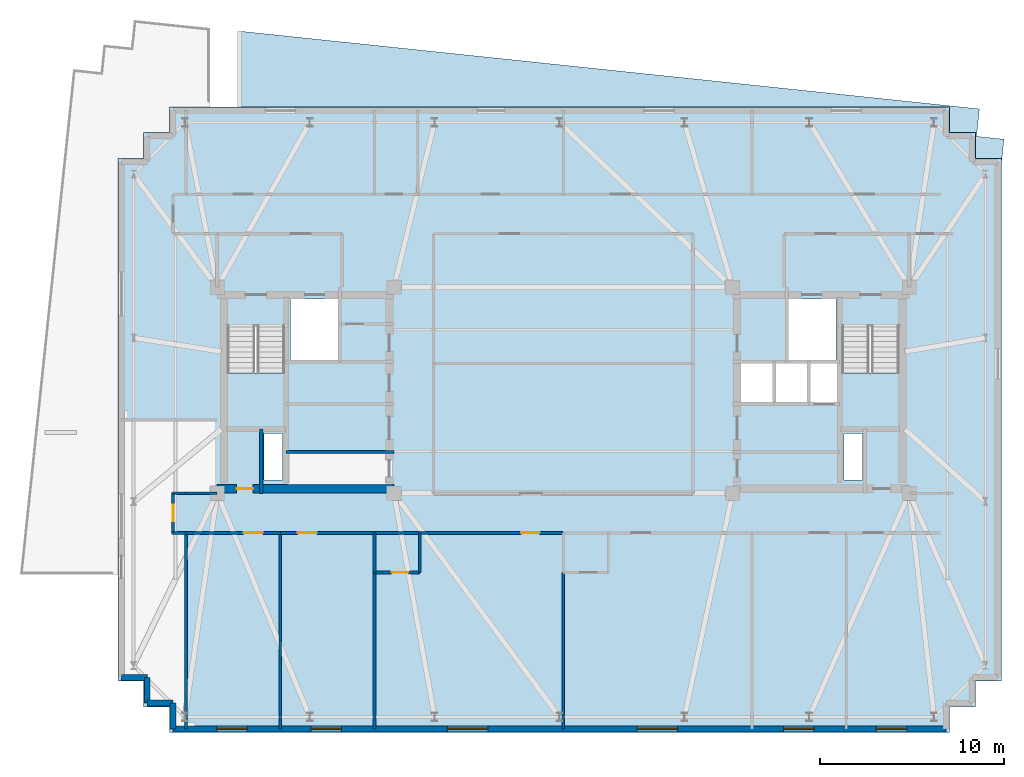
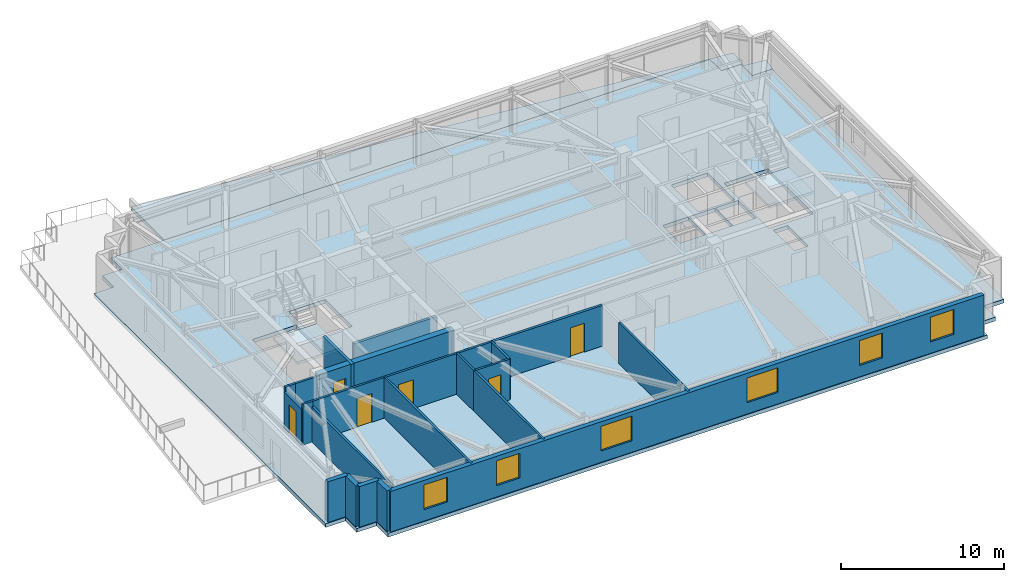
# One storey, part 5 of 12: 23 walls, 6 doors, 6 windows, 4 slabs, 12 openings, 2 elements without a shape of their own.
"""IFC4 building model written with IfcOpenShell, lengths in metres."""

from ifc_helpers import new_model, si_unit, direction, frame, frame_2d, origin, place, context, subcontext, project, spatial, polyline, rectangle, outline, extrude, material, layer, layer_set, type_object, element, fill, aggregate, save


model = new_model("IFC4")

# Units and contexts
model_context = context("Model", 3, precision=1e-05, world=origin(), true_north=direction((0.0, 1.0)))
body_context = subcontext(model_context, "Body", "Model", "MODEL_VIEW")
ifc_project = project(units=[si_unit("LENGTHUNIT", "METRE"), si_unit("AREAUNIT", "SQUARE_METRE"), si_unit("VOLUMEUNIT", "CUBIC_METRE"), si_unit("PLANEANGLEUNIT", "RADIAN"), si_unit("MASSUNIT", "GRAM", prefix="KILO")], contexts=[model_context])

# Site, building, storey
site_placement = place(None, origin())
site = spatial("IfcSite", under=ifc_project, at=site_placement, CompositionType="ELEMENT")
building_placement = place(site_placement, origin())
building = spatial("IfcBuilding", under=site, at=building_placement, Name="Qobustan Lattice House", CompositionType="ELEMENT")
storey_placement = place(building_placement, frame((0.0, 0.0, 228.300048828125)))
storey = spatial("IfcBuildingStorey", under=building, at=storey_placement, Name="L64", CompositionType="ELEMENT", Elevation=228.300048828125)

# Slab
ifc_material_1 = material(Name="Concrete C45/55", Category="concrete")
ifc_layer_1 = layer(ifc_material_1, 0.280029296875)
ifc_layer_set_1 = layer_set([ifc_layer_1], Name="Concrete C45/55")
slab_type_1 = type_object("IfcSlabType", Name="SLB-FLR-280", PredefinedType="FLOOR", material=ifc_layer_set_1)
slab_1_placement = place(storey_placement, frame((0.0, 0.0, -0.280029296875)))
element("IfcSlab", 1, at=slab_1_placement, inside=storey, type_object=slab_type_1, Name="L64 structural floor slab", PredefinedType="FLOOR", context=body_context, shape_type="SweptSolid", body=[
    extrude(outline(polyline([(-21.39990234375, -18.60009765625), (21.0, -18.60009765625), (21.0, -17.199951171875), (22.39990234375, -17.199951171875), (22.39990234375, -15.800048828125), (23.800048828125, -15.800048828125), (23.800048828125, 12.60009765625), (22.39990234375, 12.60009765625), (22.39990234375, 14.0), (21.0, 14.0), (21.0, 15.39990234375), (-21.39990234375, 15.39990234375), (-21.39990234375, 14.0), (-22.800048828125, 14.0), (-22.800048828125, 12.60009765625), (-24.199951171875, 12.60009765625), (-24.199951171875, -15.800048828125), (-22.800048828125, -15.800048828125), (-22.800048828125, -17.199951171875), (-21.39990234375, -17.199951171875), (-21.39990234375, -18.60009765625)]), holes=[polyline([(-18.25, -2.050048828125), (-18.25, 3.489990234375), (-15.1298828125, 3.489990234375), (-15.1298828125, -2.050048828125), (-18.25, -2.050048828125)]), polyline([(15.1298828125, -2.050048828125), (15.1298828125, 3.489990234375), (18.25, 3.489990234375), (18.25, -2.050048828125), (15.1298828125, -2.050048828125)]), polyline([(-14.820068359375, 1.64990234375), (-14.820068359375, 4.9599609375), (-12.25, 4.9599609375), (-12.25, 1.64990234375), (-14.820068359375, 1.64990234375)]), polyline([(12.25, 1.64990234375), (12.25, 4.9599609375), (14.820068359375, 4.9599609375), (14.820068359375, 1.64990234375), (12.25, 1.64990234375)]), polyline([(-16.260009765625, -4.8798828125), (-16.260009765625, -2.360107421875), (-15.260009765625, -2.360107421875), (-15.260009765625, -4.8798828125), (-16.260009765625, -4.8798828125)]), polyline([(15.260009765625, -4.8798828125), (15.260009765625, -2.360107421875), (16.260009765625, -2.360107421875), (16.260009765625, -4.8798828125), (15.260009765625, -4.8798828125)]), polyline([(13.360107421875, -0.679931640625), (13.360107421875, 1.47998046875), (14.97998046875, 1.47998046875), (14.97998046875, -0.679931640625), (13.360107421875, -0.679931640625)]), polyline([(9.6201171875, -0.679931640625), (9.6201171875, 1.47998046875), (11.43994140625, 1.47998046875), (11.43994140625, -0.679931640625), (9.6201171875, -0.679931640625)]), polyline([(11.5, -0.679931640625), (11.5, 1.47998046875), (13.320068359375, 1.47998046875), (13.320068359375, -0.679931640625), (11.5, -0.679931640625)])]), origin(), (0.0, 0.0, 1.0), 0.280029296875),
])

# Stair, slab
ifc_material_2 = material(Name="Concrete C40/50", Category="concrete")
stair_type = type_object("IfcStairType", Name="STR-CORE-DOGLEG", PredefinedType="HALF_TURN_STAIR", material=ifc_material_2)
stair_1_placement = place(storey_placement, origin())
stair_1 = element("IfcStair", 2, at=stair_1_placement, inside=storey, type_object=stair_type, Name="L64 West protected exit stair ST-W1", PredefinedType="HALF_TURN_STAIR")
ifc_material_3 = material(Name="Concrete C40/50", Category="concrete")
ifc_layer_2 = layer(ifc_material_3, 0.199951171875)
ifc_layer_set_2 = layer_set([ifc_layer_2], Name="Concrete C40/50")
slab_type_2 = type_object("IfcSlabType", Name="SLB-LANDING-200", PredefinedType="LANDING", material=ifc_layer_set_2)
slab_2_placement = place(storey_placement, frame((0.0, 0.0, 1.474853515625)))
slab_2 = element("IfcSlab", 3, at=slab_2_placement, type_object=slab_type_2, Name="ST-W1 landing 1", PredefinedType="LANDING", context=body_context, shape_type="SweptSolid", body=[
    extrude(outline(polyline([(-18.25, 0.93505859375), (-18.25, -2.050048828125), (-15.1298828125, -2.050048828125), (-15.1298828125, 0.93505859375), (-18.25, 0.93505859375)])), origin(), (0.0, 0.0, 1.0), 0.2001953125),
])
aggregate(stair_1, [slab_2])

stair_2_placement = place(storey_placement, origin())
stair_2 = element("IfcStair", 4, at=stair_2_placement, inside=storey, type_object=stair_type, Name="L64 East protected exit stair ST-E1", PredefinedType="HALF_TURN_STAIR")
slab_3_placement = place(storey_placement, frame((0.0, 0.0, 1.474853515625)))
slab_3 = element("IfcSlab", 5, at=slab_3_placement, type_object=slab_type_2, Name="ST-E1 landing 1", PredefinedType="LANDING", context=body_context, shape_type="SweptSolid", body=[
    extrude(outline(polyline([(15.1298828125, 0.93505859375), (15.1298828125, -2.050048828125), (18.25, -2.050048828125), (18.25, 0.93505859375), (15.1298828125, 0.93505859375)])), origin(), (0.0, 0.0, 1.0), 0.2001953125),
])
aggregate(stair_2, [slab_3])

# Slab
ifc_material_4 = material(Name="Concrete C40/50", Category="concrete")
ifc_layer_3 = layer(ifc_material_4, 0.239990234375)
ifc_layer_set_3 = layer_set([ifc_layer_3], Name="Concrete C40/50")
slab_type_3 = type_object("IfcSlabType", Name="SLB-ROOF-240", PredefinedType="ROOF", material=ifc_layer_set_3)
slab_4_placement = place(storey_placement, frame((0.0, 0.0, -0.239990234375)))
element("IfcSlab", 6, at=slab_4_placement, inside=storey, type_object=slab_type_3, Name="L64 setback maintenance roof slab 1", PredefinedType="ROOF", context=body_context, shape_type="SweptSolid", body=[
    extrude(outline(polyline([(-17.60009765625, 19.515625), (-17.60009765625, 15.39990234375), (21.0, 15.39990234375), (21.0, 14.0), (22.39990234375, 14.0), (22.39990234375, 12.60009765625), (23.800048828125, 12.60009765625), (23.800048828125, 12.23046875), (23.947998046875, 13.640380859375), (22.456298828125, 13.797119140625), (22.61328125, 15.2890625), (-17.60009765625, 19.515625)])), origin(), (0.0, 0.0, 1.0), 0.239990234375),
])

# Wall, opening, door
ifc_material_5 = material(Name="Concrete C50/60", Category="concrete")
ifc_layer_4 = layer(ifc_material_5, 0.43994140625)
ifc_layer_set_4 = layer_set([ifc_layer_4], Name="Concrete C50/60")
wall_type_1 = type_object("IfcWallType", Name="WAL-CORE-440", PredefinedType="SHEAR", material=ifc_layer_set_4)
wall_1_placement = place(storey_placement, frame((-18.800048828125, -5.35009765625, 0.0), z_axis=(0.0, 0.0, 1.0), x_axis=(1.0, 0.0, 0.0)))
wall_1 = element("IfcWall", 7, at=wall_1_placement, inside=storey, type_object=wall_type_1, Name="L64 split-core shear wall CW-S", PredefinedType="SHEAR", context=body_context, shape_type="SweptSolid", body=[
    extrude(rectangle(XDim=9.60009765625, YDim=0.43994140625, at=frame_2d((4.800048828125, 0.0))), origin(), (0.0, 0.0, 1.0), 3.0400390625),
])
opening_1_placement = place(wall_1_placement, frame((1.050048828125, 0.0, 0.0)))
opening_1 = element("IfcOpeningElement", 8, at=opening_1_placement, cuts=wall_1, Name="Opening RD-01", PredefinedType="OPENING", context=body_context, shape_type="SweptSolid", body=[
    extrude(rectangle(XDim=0.89990234375, YDim=2.10009765625, at=frame_2d((0.449951171875, 1.050048828125))), frame((0.0, 0.22998046875, 0.0), z_axis=(0.0, -1.0, 0.0), x_axis=(1.0, 0.0, 0.0)), (0.0, 0.0, 1.0), 0.4599609375),
])
ifc_material_6 = material(Name="Persian walnut timber and steel frame door", Category="steel")
door_type_1 = type_object("IfcDoorType", Name="DOR-RISER-FD-900x2100", OperationType="NOTDEFINED", PredefinedType="DOOR", material=ifc_material_6)
door_1_placement = place(opening_1_placement, origin())
door_1 = element("IfcDoor", 9, at=door_1_placement, inside=storey, type_object=door_type_1, Name="L64 core service riser access door W", OperationType="SINGLE_SWING_LEFT", OverallHeight=2.10009765625, OverallWidth=0.89990234375, PredefinedType="DOOR", context=body_context, shape_type="SweptSolid", body=[
    extrude(rectangle(XDim=0.89990234375, YDim=2.10009765625, at=frame_2d((0.449951171875, 1.050048828125))), frame((0.0, 0.02490234375, 0.0), z_axis=(0.0, -1.0, 0.0), x_axis=(1.0, 0.0, 0.0)), (0.0, 0.0, 1.0), 0.050048828125),
])
fill(opening_1, door_1)

# Walls
ifc_material_7 = material(Name="Precast concrete C40/50", Category="concrete")
ifc_layer_5 = layer(ifc_material_7, 0.320068359375)
ifc_layer_set_5 = layer_set([ifc_layer_5], Name="Precast concrete C40/50")
wall_type_2 = type_object("IfcWallType", Name="WAL-EXT-STONE-320", PredefinedType="SOLIDWALL", material=ifc_layer_set_5)
wall_2_placement = place(storey_placement, frame((-21.199951171875, -18.39990234375, 0.0), z_axis=(0.0, 0.0, 1.0), x_axis=(0.0, 1.0, 0.0)))
element("IfcWall", 10, at=wall_2_placement, inside=storey, type_object=wall_type_2, Name="L64 exterior limestone-clad wall 1", PredefinedType="SOLIDWALL", context=body_context, shape_type="SweptSolid", body=[
    extrude(rectangle(XDim=1.39990234375, YDim=0.320068359375, at=frame_2d((0.699951171875, 0.0))), origin(), (0.0, 0.0, 1.0), 3.0400390625),
])
wall_3_placement = place(storey_placement, frame((-21.199951171875, -17.0, 0.0), z_axis=(0.0, 0.0, 1.0), x_axis=(-1.0, 0.0, 0.0)))
element("IfcWall", 11, at=wall_3_placement, inside=storey, type_object=wall_type_2, Name="L64 exterior limestone-clad wall 2", PredefinedType="SOLIDWALL", context=body_context, shape_type="SweptSolid", body=[
    extrude(rectangle(XDim=1.400146484375, YDim=0.320068359375, at=frame_2d((0.7001953125, 0.0))), origin(), (0.0, 0.0, 1.0), 3.0400390625),
])
for number, where, z_axis, x_axis, name in (
    (12, (-22.60009765625, -17.0, 0.0), (0.0, 0.0, 1.0), (0.0, 1.0, 0.0), "L64 exterior limestone-clad wall 3"),
    (13, (-22.60009765625, -15.60009765625, 0.0), (0.0, 0.0, 1.0), (-1.0, 0.0, 0.0), "L64 exterior limestone-clad wall 4"),
):
    element("IfcWall", number, at=place(storey_placement, frame(where, z_axis=z_axis, x_axis=x_axis)), inside=storey, type_object=wall_type_2, Name=name, PredefinedType="SOLIDWALL", context=body_context, shape_type="SweptSolid", body=[
        extrude(rectangle(XDim=1.39990234375, YDim=0.320068359375, at=frame_2d((0.699951171875, 0.0))), origin(), (0.0, 0.0, 1.0), 3.0400390625),
    ])

# Wall, openings, windows
wall_4_placement = place(storey_placement, frame((20.800048828125, -18.39990234375, 0.0), z_axis=(0.0, 0.0, 1.0), x_axis=(-1.0, 0.0, 0.0)))
wall_4 = element("IfcWall", 14, at=wall_4_placement, inside=storey, type_object=wall_type_2, Name="L64 exterior limestone-clad wall 20", PredefinedType="SOLIDWALL", context=body_context, shape_type="SweptSolid", body=[
    extrude(rectangle(XDim=42.0, YDim=0.320068359375, at=frame_2d((21.0, 0.0))), origin(), (0.0, 0.0, 1.0), 3.0400390625),
])
opening_2_placement = place(wall_4_placement, frame((2.135009765625, 0.0, 0.85009765625)))
opening_2 = element("IfcOpeningElement", 15, at=opening_2_placement, cuts=wall_4, Name="Opening WN-09", PredefinedType="OPENING", context=body_context, shape_type="SweptSolid", body=[
    extrude(rectangle(XDim=1.64990234375, YDim=1.85009765625, at=frame_2d((0.824951171875, 0.925048828125))), frame((0.0, 0.169921875, 0.0), z_axis=(0.0, -1.0, 0.0), x_axis=(1.0, 0.0, 0.0)), (0.0, 0.0, 1.0), 0.340087890625),
])
opening_3_placement = place(wall_4_placement, frame((7.175048828125, 0.0, 0.85009765625)))
opening_3 = element("IfcOpeningElement", 16, at=opening_3_placement, cuts=wall_4, Name="Opening WN-09", PredefinedType="OPENING", context=body_context, shape_type="SweptSolid", body=[
    extrude(rectangle(XDim=1.64990234375, YDim=1.85009765625, at=frame_2d((0.824951171875, 0.925048828125))), frame((0.0, 0.169921875, 0.0), z_axis=(0.0, -1.0, 0.0), x_axis=(1.0, 0.0, 0.0)), (0.0, 0.0, 1.0), 0.340087890625),
])
opening_4_placement = place(wall_4_placement, frame((14.580078125, 0.0, 0.85009765625)))
opening_4 = element("IfcOpeningElement", 17, at=opening_4_placement, cuts=wall_4, Name="Opening WN-03", PredefinedType="OPENING", context=body_context, shape_type="SweptSolid", body=[
    extrude(rectangle(XDim=2.199951171875, YDim=1.85009765625, at=frame_2d((1.10009765625, 0.925048828125))), frame((0.0, 0.169921875, 0.0), z_axis=(0.0, -1.0, 0.0), x_axis=(1.0, 0.0, 0.0)), (0.0, 0.0, 1.0), 0.340087890625),
])
opening_5_placement = place(wall_4_placement, frame((24.89990234375, 0.0, 0.85009765625)))
opening_5 = element("IfcOpeningElement", 18, at=opening_5_placement, cuts=wall_4, Name="Opening WN-03", PredefinedType="OPENING", context=body_context, shape_type="SweptSolid", body=[
    extrude(rectangle(XDim=2.199951171875, YDim=1.85009765625, at=frame_2d((1.10009765625, 0.925048828125))), frame((0.0, 0.169921875, 0.0), z_axis=(0.0, -1.0, 0.0), x_axis=(1.0, 0.0, 0.0)), (0.0, 0.0, 1.0), 0.340087890625),
])
opening_6_placement = place(wall_4_placement, frame((32.85498046875, 0.0, 0.85009765625)))
opening_6 = element("IfcOpeningElement", 19, at=opening_6_placement, cuts=wall_4, Name="Opening WN-09", PredefinedType="OPENING", context=body_context, shape_type="SweptSolid", body=[
    extrude(rectangle(XDim=1.64990234375, YDim=1.85009765625, at=frame_2d((0.824951171875, 0.925048828125))), frame((0.0, 0.169921875, 0.0), z_axis=(0.0, -1.0, 0.0), x_axis=(1.0, 0.0, 0.0)), (0.0, 0.0, 1.0), 0.340087890625),
])
opening_7_placement = place(wall_4_placement, frame((37.97509765625, 0.0, 0.85009765625)))
opening_7 = element("IfcOpeningElement", 20, at=opening_7_placement, cuts=wall_4, Name="Opening WN-09", PredefinedType="OPENING", context=body_context, shape_type="SweptSolid", body=[
    extrude(rectangle(XDim=1.64990234375, YDim=1.85009765625, at=frame_2d((0.824951171875, 0.925048828125))), frame((0.0, 0.169921875, 0.0), z_axis=(0.0, -1.0, 0.0), x_axis=(1.0, 0.0, 0.0)), (0.0, 0.0, 1.0), 0.340087890625),
])
ifc_material_8 = material(Name="Double-glazed low-E aluminium window", Category="aluminium")
window_type_1 = type_object("IfcWindowType", Name="WIN-STU-1650x1850", PartitioningType="SINGLE_PANEL", PredefinedType="WINDOW", material=ifc_material_8)
window_1_placement = place(opening_2_placement, origin())
window_1 = element("IfcWindow", 21, at=window_1_placement, inside=storey, type_object=window_type_1, Name="L64 Academic seminar room window", OverallHeight=1.85009765625, OverallWidth=1.64990234375, PartitioningType="SINGLE_PANEL", PredefinedType="WINDOW", context=body_context, shape_type="SweptSolid", body=[
    extrude(rectangle(XDim=1.64990234375, YDim=1.85009765625, at=frame_2d((0.824951171875, 0.925048828125))), frame((0.0, 0.030029296875, 0.0), z_axis=(0.0, -1.0, 0.0), x_axis=(1.0, 0.0, 0.0)), (0.0, 0.0, 1.0), 0.06005859375),
])
fill(opening_2, window_1)
window_2_placement = place(opening_3_placement, origin())
window_2 = element("IfcWindow", 22, at=window_2_placement, inside=storey, type_object=window_type_1, Name="L64 Group study room window", OverallHeight=1.85009765625, OverallWidth=1.64990234375, PartitioningType="SINGLE_PANEL", PredefinedType="WINDOW", context=body_context, shape_type="SweptSolid", body=[
    extrude(rectangle(XDim=1.64990234375, YDim=1.85009765625, at=frame_2d((0.824951171875, 0.925048828125))), frame((0.0, 0.030029296875, 0.0), z_axis=(0.0, -1.0, 0.0), x_axis=(1.0, 0.0, 0.0)), (0.0, 0.0, 1.0), 0.06005859375),
])
fill(opening_3, window_2)
window_3_placement = place(opening_6_placement, origin())
window_3 = element("IfcWindow", 23, at=window_3_placement, inside=storey, type_object=window_type_1, Name="L64 Focus study room S1B window", OverallHeight=1.85009765625, OverallWidth=1.64990234375, PartitioningType="SINGLE_PANEL", PredefinedType="WINDOW", context=body_context, shape_type="SweptSolid", body=[
    extrude(rectangle(XDim=1.64990234375, YDim=1.85009765625, at=frame_2d((0.824951171875, 0.925048828125))), frame((0.0, 0.030029296875, 0.0), z_axis=(0.0, -1.0, 0.0), x_axis=(1.0, 0.0, 0.0)), (0.0, 0.0, 1.0), 0.06005859375),
])
fill(opening_6, window_3)
window_4_placement = place(opening_7_placement, origin())
window_4 = element("IfcWindow", 24, at=window_4_placement, inside=storey, type_object=window_type_1, Name="L64 Focus study room S1A window", OverallHeight=1.85009765625, OverallWidth=1.64990234375, PartitioningType="SINGLE_PANEL", PredefinedType="WINDOW", context=body_context, shape_type="SweptSolid", body=[
    extrude(rectangle(XDim=1.64990234375, YDim=1.85009765625, at=frame_2d((0.824951171875, 0.925048828125))), frame((0.0, 0.030029296875, 0.0), z_axis=(0.0, -1.0, 0.0), x_axis=(1.0, 0.0, 0.0)), (0.0, 0.0, 1.0), 0.06005859375),
])
fill(opening_7, window_4)
ifc_material_9 = material(Name="Double-glazed low-E aluminium window", Category="aluminium")
window_type_2 = type_object("IfcWindowType", Name="WIN-WIDE-2200x1850", PartitioningType="SINGLE_PANEL", PredefinedType="WINDOW", material=ifc_material_9)
window_5_placement = place(opening_4_placement, origin())
window_5 = element("IfcWindow", 25, at=window_5_placement, inside=storey, type_object=window_type_2, Name="L64 Kitchenette and studio apartment L64-S3 window", OverallHeight=1.85009765625, OverallWidth=2.199951171875, PartitioningType="SINGLE_PANEL", PredefinedType="WINDOW", context=body_context, shape_type="SweptSolid", body=[
    extrude(rectangle(XDim=2.199951171875, YDim=1.85009765625, at=frame_2d((1.10009765625, 0.925048828125))), frame((0.0, 0.030029296875, 0.0), z_axis=(0.0, -1.0, 0.0), x_axis=(1.0, 0.0, 0.0)), (0.0, 0.0, 1.0), 0.06005859375),
])
fill(opening_4, window_5)
window_6_placement = place(opening_5_placement, origin())
window_6 = element("IfcWindow", 26, at=window_6_placement, inside=storey, type_object=window_type_2, Name="L64 Kitchenette and studio apartment L64-S2 window", OverallHeight=1.85009765625, OverallWidth=2.199951171875, PartitioningType="SINGLE_PANEL", PredefinedType="WINDOW", context=body_context, shape_type="SweptSolid", body=[
    extrude(rectangle(XDim=2.199951171875, YDim=1.85009765625, at=frame_2d((1.10009765625, 0.925048828125))), frame((0.0, 0.030029296875, 0.0), z_axis=(0.0, -1.0, 0.0), x_axis=(1.0, 0.0, 0.0)), (0.0, 0.0, 1.0), 0.06005859375),
])
fill(opening_5, window_6)

# Wall
ifc_material_10 = material(Name="Gypsum fireboard acoustic partition", Category="gypsum")
ifc_layer_6 = layer(ifc_material_10, 0.179931640625)
ifc_layer_set_6 = layer_set([ifc_layer_6], Name="Gypsum fireboard acoustic partition")
wall_type_3 = type_object("IfcWallType", Name="WAL-FIRE-180", PredefinedType="PARTITIONING", material=ifc_layer_set_6)
wall_5_placement = place(storey_placement, frame((-15.050048828125, -3.35009765625, 0.0), z_axis=(0.0, 0.0, 1.0), x_axis=(1.0, 0.0, 0.0)))
element("IfcWall", 27, at=wall_5_placement, inside=storey, type_object=wall_type_3, Name="L64 interior partition 10", PredefinedType="PARTITIONING", context=body_context, shape_type="SweptSolid", body=[
    extrude(rectangle(XDim=5.85009765625, YDim=0.179931640625, at=frame_2d((2.925048828125, 0.0))), origin(), (0.0, 0.0, 1.0), 2.7548828125),
])

# Wall, opening, door
wall_6_placement = place(storey_placement, frame((0.0, -7.75, 0.0), z_axis=(0.0, 0.0, 1.0), x_axis=(-1.0, 0.0, 0.0)))
wall_6 = element("IfcWall", 28, at=wall_6_placement, inside=storey, type_object=wall_type_3, Name="L64 interior partition 48", PredefinedType="PARTITIONING", context=body_context, shape_type="SweptSolid", body=[
    extrude(rectangle(XDim=7.800048828125, YDim=0.179931640625, at=frame_2d((3.89990234375, 0.0))), origin(), (0.0, 0.0, 1.0), 3.0400390625),
])
opening_8_placement = place(wall_6_placement, frame((1.284912109375, 0.0, 0.0)))
opening_8 = element("IfcOpeningElement", 29, at=opening_8_placement, cuts=wall_6, Name="Opening FD-02", PredefinedType="OPENING", context=body_context, shape_type="SweptSolid", body=[
    extrude(rectangle(XDim=1.0, YDim=2.14990234375, at=frame_2d((0.5, 1.074951171875))), frame((0.0, 0.099853515625, 0.0), z_axis=(0.0, -1.0, 0.0), x_axis=(1.0, 0.0, 0.0)), (0.0, 0.0, 1.0), 0.199951171875),
])
ifc_material_11 = material(Name="Persian walnut timber and steel frame door", Category="steel")
door_type_2 = type_object("IfcDoorType", Name="DOR-UNIT-FD-1000x2150", OperationType="NOTDEFINED", PredefinedType="DOOR", material=ifc_material_11)
door_2_placement = place(opening_8_placement, origin())
door_2 = element("IfcDoor", 30, at=door_2_placement, inside=storey, type_object=door_type_2, Name="L64 South-west floor corridor to Kitchenette and studio apartment L64-S2 door", OperationType="SINGLE_SWING_RIGHT", OverallHeight=2.14990234375, OverallWidth=1.0, PredefinedType="DOOR", context=body_context, shape_type="SweptSolid", body=[
    extrude(rectangle(XDim=1.0, YDim=2.14990234375, at=frame_2d((0.5, 1.074951171875))), frame((0.0, 0.02490234375, 0.0), z_axis=(0.0, -1.0, 0.0), x_axis=(1.0, 0.0, 0.0)), (0.0, 0.0, 1.0), 0.050048828125),
])
fill(opening_8, door_2)

ifc_material_12 = material(Name="Acoustic twin-stud gypsum partition", Category="gypsum")
ifc_layer_7 = layer(ifc_material_12, 0.14990234375)
ifc_layer_set_7 = layer_set([ifc_layer_7], Name="Acoustic twin-stud gypsum partition")
wall_type_4 = type_object("IfcWallType", Name="WAL-PART-150", PredefinedType="PARTITIONING", material=ifc_layer_set_7)
wall_7_placement = place(storey_placement, frame((-21.199951171875, -7.75, 0.0), z_axis=(0.0, 0.0, 1.0), x_axis=(0.0, 1.0, 0.0)))
wall_7 = element("IfcWall", 31, at=wall_7_placement, inside=storey, type_object=wall_type_4, Name="L64 interior partition 42", PredefinedType="PARTITIONING", context=body_context, shape_type="SweptSolid", body=[
    extrude(rectangle(XDim=2.14990234375, YDim=0.14990234375, at=frame_2d((1.074951171875, 0.0))), origin(), (0.0, 0.0, 1.0), 2.695068359375),
])
opening_9_placement = place(wall_7_placement, frame((0.625, 0.0, 0.0)))
opening_9 = element("IfcOpeningElement", 32, at=opening_9_placement, cuts=wall_7, Name="Opening WD-01", PredefinedType="OPENING", context=body_context, shape_type="SweptSolid", body=[
    extrude(rectangle(XDim=0.89990234375, YDim=2.10009765625, at=frame_2d((0.449951171875, 1.050048828125))), frame((0.0, 0.0849609375, 0.0), z_axis=(0.0, -1.0, 0.0), x_axis=(1.0, 0.0, 0.0)), (0.0, 0.0, 1.0), 0.169921875),
])
ifc_material_13 = material(Name="Persian walnut timber and steel frame door", Category="steel")
door_type_3 = type_object("IfcDoorType", Name="DOR-WET-900x2100", OperationType="NOTDEFINED", PredefinedType="DOOR", material=ifc_material_13)
door_3_placement = place(opening_9_placement, origin())
door_3 = element("IfcDoor", 33, at=door_3_placement, inside=storey, type_object=door_type_3, Name="L64 South-west floor corridor to Spiral terrace south lounge door", OperationType="SINGLE_SWING_LEFT", OverallHeight=2.10009765625, OverallWidth=0.89990234375, PredefinedType="DOOR", context=body_context, shape_type="SweptSolid", body=[
    extrude(rectangle(XDim=0.89990234375, YDim=2.10009765625, at=frame_2d((0.449951171875, 1.050048828125))), frame((0.0, 0.02490234375, 0.0), z_axis=(0.0, -1.0, 0.0), x_axis=(1.0, 0.0, 0.0)), (0.0, 0.0, 1.0), 0.050048828125),
])
fill(opening_9, door_3)

# Walls
wall_8_placement = place(storey_placement, frame((-20.5, -5.60009765625, 0.0), z_axis=(0.0, 0.0, 1.0), x_axis=(1.0, 0.0, 0.0)))
element("IfcWall", 34, at=wall_8_placement, inside=storey, type_object=wall_type_4, Name="L64 interior partition 43", PredefinedType="PARTITIONING", context=body_context, shape_type="SweptSolid", body=[
    extrude(rectangle(XDim=1.699951171875, YDim=0.14990234375, at=frame_2d((0.85009765625, 0.0))), origin(), (0.0, 0.0, 1.0), 3.0400390625),
])
for number, where, z_axis, x_axis, name in (
    (35, (-20.5, -7.75, 0.0), (0.0, 0.0, 1.0), (-1.0, 0.0, 0.0), "L64 interior partition 44"),
    (36, (-21.199951171875, -5.60009765625, 0.0), (0.0, 0.0, 1.0), (1.0, 0.0, 0.0), "L64 interior partition 45"),
):
    element("IfcWall", number, at=place(storey_placement, frame(where, z_axis=z_axis, x_axis=x_axis)), inside=storey, type_object=wall_type_4, Name=name, PredefinedType="PARTITIONING", context=body_context, shape_type="SweptSolid", body=[
        extrude(rectangle(XDim=0.699951171875, YDim=0.14990234375, at=frame_2d((0.35009765625, 0.0))), origin(), (0.0, 0.0, 1.0), 3.0400390625),
    ])

# Wall, opening, door
wall_9_placement = place(storey_placement, frame((-15.375, -7.75, 0.0), z_axis=(0.0, 0.0, 1.0), x_axis=(-1.0, 0.0, 0.0)))
wall_9 = element("IfcWall", 37, at=wall_9_placement, inside=storey, type_object=wall_type_4, Name="L64 interior partition 46", PredefinedType="PARTITIONING", context=body_context, shape_type="SweptSolid", body=[
    extrude(rectangle(XDim=5.125, YDim=0.14990234375, at=frame_2d((2.5625, 0.0))), origin(), (0.0, 0.0, 1.0), 3.0400390625),
])
opening_10_placement = place(wall_9_placement, frame((0.9443359375, 0.0, 0.0)))
opening_10 = element("IfcOpeningElement", 38, at=opening_10_placement, cuts=wall_9, Name="Opening ID-02", PredefinedType="OPENING", context=body_context, shape_type="SweptSolid", body=[
    extrude(rectangle(XDim=1.050048828125, YDim=2.14990234375, at=frame_2d((0.52490234375, 1.074951171875))), frame((0.0, 0.0849609375, 0.0), z_axis=(0.0, -1.0, 0.0), x_axis=(1.0, 0.0, 0.0)), (0.0, 0.0, 1.0), 0.169921875),
])
ifc_material_14 = material(Name="Persian walnut timber and steel frame door", Category="steel")
door_type_4 = type_object("IfcDoorType", Name="DOR-STUDY-1050x2150", OperationType="NOTDEFINED", PredefinedType="DOOR", material=ifc_material_14)
door_4_placement = place(opening_10_placement, origin())
door_4 = element("IfcDoor", 39, at=door_4_placement, inside=storey, type_object=door_type_4, Name="L64 South-west floor corridor to Focus study room S1A door", OperationType="SINGLE_SWING_RIGHT", OverallHeight=2.14990234375, OverallWidth=1.050048828125, PredefinedType="DOOR", context=body_context, shape_type="SweptSolid", body=[
    extrude(rectangle(XDim=1.050048828125, YDim=2.14990234375, at=frame_2d((0.52490234375, 1.074951171875))), frame((0.0, 0.02490234375, 0.0), z_axis=(0.0, -1.0, 0.0), x_axis=(1.0, 0.0, 0.0)), (0.0, 0.0, 1.0), 0.050048828125),
])
fill(opening_10, door_4)

wall_10_placement = place(storey_placement, frame((-10.25, -7.75, 0.0), z_axis=(0.0, 0.0, 1.0), x_axis=(-1.0, 0.0, 0.0)))
wall_10 = element("IfcWall", 40, at=wall_10_placement, inside=storey, type_object=wall_type_4, Name="L64 interior partition 47", PredefinedType="PARTITIONING", context=body_context, shape_type="SweptSolid", body=[
    extrude(rectangle(XDim=5.125, YDim=0.14990234375, at=frame_2d((2.5625, 0.0))), origin(), (0.0, 0.0, 1.0), 3.0400390625),
])
opening_11_placement = place(wall_10_placement, frame((3.130615234375, 0.0, 0.0)))
opening_11 = element("IfcOpeningElement", 41, at=opening_11_placement, cuts=wall_10, Name="Opening ID-02", PredefinedType="OPENING", context=body_context, shape_type="SweptSolid", body=[
    extrude(rectangle(XDim=1.050048828125, YDim=2.14990234375, at=frame_2d((0.52490234375, 1.074951171875))), frame((0.0, 0.0849609375, 0.0), z_axis=(0.0, -1.0, 0.0), x_axis=(1.0, 0.0, 0.0)), (0.0, 0.0, 1.0), 0.169921875),
])
door_5_placement = place(opening_11_placement, origin())
door_5 = element("IfcDoor", 42, at=door_5_placement, inside=storey, type_object=door_type_4, Name="L64 South-west floor corridor to Focus study room S1B door", OperationType="SINGLE_SWING_LEFT", OverallHeight=2.14990234375, OverallWidth=1.050048828125, PredefinedType="DOOR", context=body_context, shape_type="SweptSolid", body=[
    extrude(rectangle(XDim=1.050048828125, YDim=2.14990234375, at=frame_2d((0.52490234375, 1.074951171875))), frame((0.0, 0.02490234375, 0.0), z_axis=(0.0, -1.0, 0.0), x_axis=(1.0, 0.0, 0.0)), (0.0, 0.0, 1.0), 0.050048828125),
])
fill(opening_11, door_5)

# Walls
wall_11_placement = place(storey_placement, frame((-20.5, -7.75, 0.0), z_axis=(0.0, 0.0, 1.0), x_axis=(0.0, -1.0, 0.0)))
element("IfcWall", 43, at=wall_11_placement, inside=storey, type_object=wall_type_4, Name="L64 interior partition 63", PredefinedType="PARTITIONING", context=body_context, shape_type="SweptSolid", body=[
    extrude(rectangle(XDim=10.64990234375, YDim=0.14990234375, at=frame_2d((5.324951171875, 0.0))), origin(), (0.0, 0.0, 1.0), 2.6650390625),
])
wall_12_placement = place(storey_placement, frame((-15.375, -7.75, 0.0), z_axis=(0.0, 0.0, 1.0), x_axis=(0.0, -1.0, 0.0)))
element("IfcWall", 44, at=wall_12_placement, inside=storey, type_object=wall_type_4, Name="L64 interior partition 69", PredefinedType="PARTITIONING", context=body_context, shape_type="SweptSolid", body=[
    extrude(rectangle(XDim=10.64990234375, YDim=0.14990234375, at=frame_2d((5.324951171875, 0.0))), origin(), (0.0, 0.0, 1.0), 3.0400390625),
])
for number, where, z_axis, x_axis, name in (
    (45, (-10.25, -9.89990234375, 0.0), (0.0, 0.0, 1.0), (0.0, -1.0, 0.0), "L64 interior partition 70"),
    (46, (0.0, -9.89990234375, 0.0), (0.0, 0.0, 1.0), (0.0, -1.0, 0.0), "L64 interior partition 74"),
):
    element("IfcWall", number, at=place(storey_placement, frame(where, z_axis=z_axis, x_axis=x_axis)), inside=storey, type_object=wall_type_4, Name=name, PredefinedType="PARTITIONING", context=body_context, shape_type="SweptSolid", body=[
        extrude(rectangle(XDim=8.5, YDim=0.14990234375, at=frame_2d((4.25, 0.0))), origin(), (0.0, 0.0, 1.0), 3.0400390625),
    ])
ifc_material_15 = material(Name="Concrete C40/50", Category="concrete")
ifc_layer_8 = layer(ifc_material_15, 0.199951171875)
ifc_layer_set_8 = layer_set([ifc_layer_8], Name="Concrete C40/50")
wall_type_5 = type_object("IfcWallType", Name="WAL-SHAFT-200", PredefinedType="PARTITIONING", material=ifc_layer_set_8)
wall_13_placement = place(storey_placement, frame((-16.39990234375, -5.60009765625, 0.0), z_axis=(0.0, 0.0, 1.0), x_axis=(0.0, 1.0, 0.0)))
element("IfcWall", 47, at=wall_13_placement, inside=storey, type_object=wall_type_5, Name="L64 interior partition 1", PredefinedType="PARTITIONING", context=body_context, shape_type="SweptSolid", body=[
    extrude(rectangle(XDim=3.489990234375, YDim=0.199951171875, at=frame_2d((1.7451171875, 0.0))), origin(), (0.0, 0.0, 1.0), 3.0400390625),
])
ifc_material_16 = material(Name="Moisture-resistant acoustic plumbing wall", Category="gypsum")
ifc_layer_9 = layer(ifc_material_16, 0.14990234375)
ifc_layer_set_9 = layer_set([ifc_layer_9], Name="Moisture-resistant acoustic plumbing wall")
wall_type_6 = type_object("IfcWallType", Name="WAL-WET-150", PredefinedType="PLUMBINGWALL", material=ifc_layer_set_9)
wall_14_placement = place(storey_placement, frame((-7.800048828125, -7.75, 0.0), z_axis=(0.0, 0.0, 1.0), x_axis=(-1.0, 0.0, 0.0)))
element("IfcWall", 48, at=wall_14_placement, inside=storey, type_object=wall_type_6, Name="L64 interior partition 49", PredefinedType="PLUMBINGWALL", context=body_context, shape_type="SweptSolid", body=[
    extrude(rectangle(XDim=2.449951171875, YDim=0.14990234375, at=frame_2d((1.22509765625, 0.0))), origin(), (0.0, 0.0, 1.0), 3.0400390625),
])
wall_15_placement = place(storey_placement, frame((-10.25, -7.75, 0.0), z_axis=(0.0, 0.0, 1.0), x_axis=(0.0, -1.0, 0.0)))
element("IfcWall", 49, at=wall_15_placement, inside=storey, type_object=wall_type_6, Name="L64 interior partition 71", PredefinedType="PLUMBINGWALL", context=body_context, shape_type="SweptSolid", body=[
    extrude(rectangle(XDim=2.14990234375, YDim=0.14990234375, at=frame_2d((1.074951171875, 0.0))), origin(), (0.0, 0.0, 1.0), 3.0400390625),
])

# Wall, opening, door
wall_16_placement = place(storey_placement, frame((-10.25, -9.89990234375, 0.0), z_axis=(0.0, 0.0, 1.0), x_axis=(1.0, 0.0, 0.0)))
wall_16 = element("IfcWall", 50, at=wall_16_placement, inside=storey, type_object=wall_type_6, Name="L64 interior partition 72", PredefinedType="PLUMBINGWALL", context=body_context, shape_type="SweptSolid", body=[
    extrude(rectangle(XDim=2.449951171875, YDim=0.14990234375, at=frame_2d((1.22509765625, 0.0))), origin(), (0.0, 0.0, 1.0), 3.0400390625),
])
opening_12_placement = place(wall_16_placement, frame((0.92138671875, 0.0, 0.0)))
opening_12 = element("IfcOpeningElement", 51, at=opening_12_placement, cuts=wall_16, Name="Opening WD-01", PredefinedType="OPENING", context=body_context, shape_type="SweptSolid", body=[
    extrude(rectangle(XDim=0.89990234375, YDim=2.10009765625, at=frame_2d((0.449951171875, 1.050048828125))), frame((0.0, 0.0849609375, 0.0), z_axis=(0.0, -1.0, 0.0), x_axis=(1.0, 0.0, 0.0)), (0.0, 0.0, 1.0), 0.169921875),
])
door_6_placement = place(opening_12_placement, origin())
door_6 = element("IfcDoor", 52, at=door_6_placement, inside=storey, type_object=door_type_3, Name="L64 Kitchenette and studio apartment L64-S2 to En-suite bathroom L64-S2 door", OperationType="SINGLE_SWING_LEFT", OverallHeight=2.10009765625, OverallWidth=0.89990234375, PredefinedType="DOOR", context=body_context, shape_type="SweptSolid", body=[
    extrude(rectangle(XDim=0.89990234375, YDim=2.10009765625, at=frame_2d((0.449951171875, 1.050048828125))), frame((0.0, 0.02490234375, 0.0), z_axis=(0.0, -1.0, 0.0), x_axis=(1.0, 0.0, 0.0)), (0.0, 0.0, 1.0), 0.050048828125),
])
fill(opening_12, door_6)

# Wall
wall_17_placement = place(storey_placement, frame((-7.800048828125, -9.89990234375, 0.0), z_axis=(0.0, 0.0, 1.0), x_axis=(0.0, 1.0, 0.0)))
element("IfcWall", 53, at=wall_17_placement, inside=storey, type_object=wall_type_6, Name="L64 interior partition 73", PredefinedType="PLUMBINGWALL", context=body_context, shape_type="SweptSolid", body=[
    extrude(rectangle(XDim=2.14990234375, YDim=0.14990234375, at=frame_2d((1.074951171875, 0.0))), origin(), (0.0, 0.0, 1.0), 3.0400390625),
])

save(model, "model.ifc")
